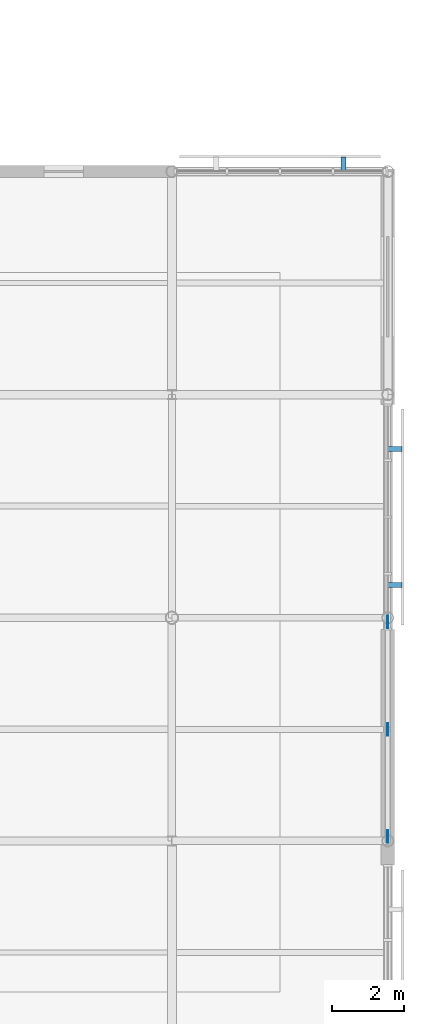
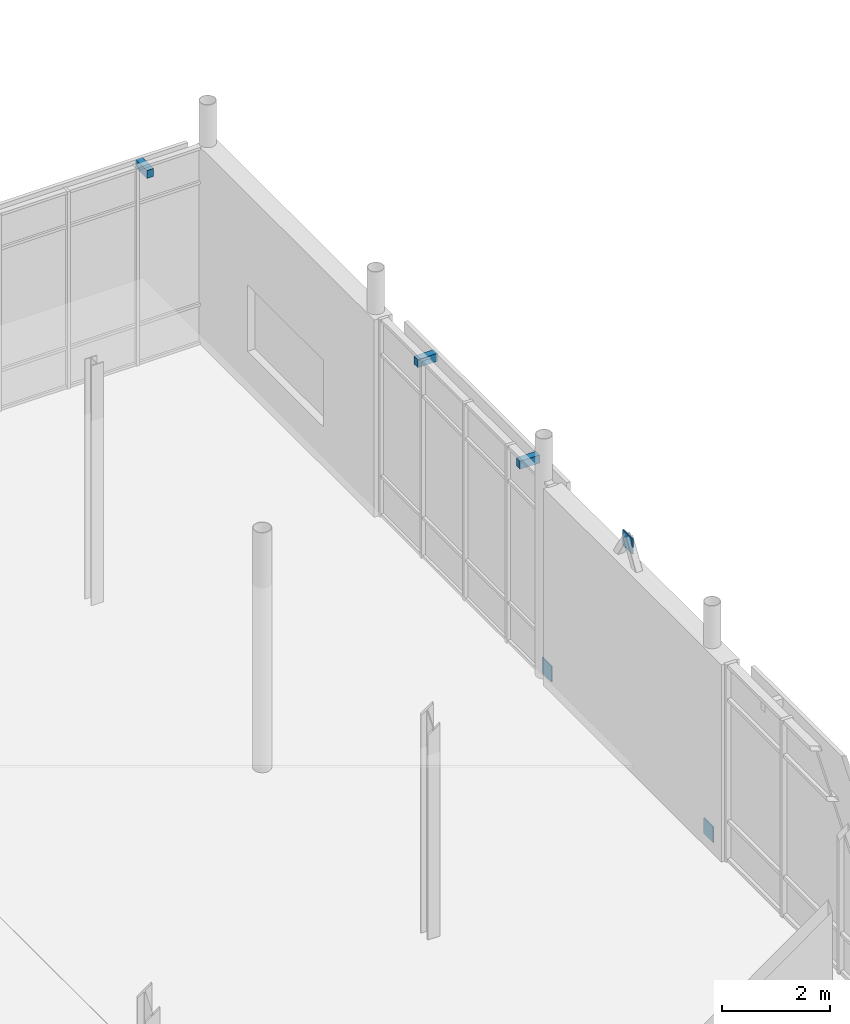
# One storey, part 89 of 105: 6 discrete accessories.
"""IFC4 building model written with IfcOpenShell, lengths in metres."""

from ifc_helpers import new_model, si_unit, direction, frame, origin, origin_2d, place, context, subcontext, project, spatial, rectangle, extrude, material, type_object, element, save


model = new_model("IFC4")

# Units and contexts
model_context = context("Model", 3, precision=1e-05, world=origin(), true_north=direction((0.0, 1.0)))
body_context = subcontext(model_context, "Body", "Model", "MODEL_VIEW")
ifc_project = project(units=[si_unit("LENGTHUNIT", "METRE"), si_unit("AREAUNIT", "SQUARE_METRE"), si_unit("VOLUMEUNIT", "CUBIC_METRE"), si_unit("PLANEANGLEUNIT", "RADIAN"), si_unit("MASSUNIT", "GRAM", prefix="KILO")], contexts=[model_context])

# Site, building, storey
site_placement = place(None, origin())
site = spatial("IfcSite", under=ifc_project, at=site_placement, CompositionType="ELEMENT")
building_placement = place(site_placement, origin())
building = spatial("IfcBuilding", under=site, at=building_placement, Name="Mirzam Square Science Centre", CompositionType="ELEMENT")
storey_placement = place(building_placement, frame((0.0, 0.0, 5.39990234375)))
storey = spatial("IfcBuildingStorey", under=building, at=storey_placement, Name="L01", CompositionType="ELEMENT", Elevation=5.39990234375)

# Discrete accessories
ifc_material = material(Name="Steel S355", Category="steel")
discrete_accessory_type_1 = type_object("IfcDiscreteAccessoryType", Name="BK-BRACE-GUSSET", PredefinedType="BRACKET", material=ifc_material)
for number, where, z_axis, x_axis, name in (
    (1, (162.0, 68.320068359375, -0.0048828125), (0.0, 0.0, 1.0), (0.0, 1.0, 0.0), "L01 brace gusset plate 5A"),
    (2, (162.0, 74.280029296875, -0.0048828125), (0.0, 0.0, 1.0), (0.0, 1.0, 0.0), "L01 brace gusset plate 5B"),
    (3, (162.0, 71.300048828125, 4.679931640625), (0.0, 0.0, 1.0), (0.0, 1.0, 0.0), "L01 brace apex gusset plate 5"),
):
    element("IfcDiscreteAccessory", number, at=place(storey_placement, frame(where, z_axis=z_axis, x_axis=x_axis)), inside=storey, type_object=discrete_accessory_type_1, Name=name, PredefinedType="BRACKET", context=body_context, shape_type="SweptSolid", body=[
        extrude(rectangle(XDim=0.35009765625, YDim=0.02490234375, at=origin_2d()), origin(), (0.0, 0.0, 1.0), 0.35009765625),
    ])
discrete_accessory_type_2 = type_object("IfcDiscreteAccessoryType", Name="BRK-BRISE-STEEL", PredefinedType="BRACKET", material=ifc_material)
for number, where, z_axis, x_axis, name in (
    (4, (162.18994140625, 75.31298828125, 4.10009765625), (0.0, 0.0, 1.0), (0.0, 1.0, 0.0), "L01 brise-soleil support bracket 76"),
    (5, (162.18994140625, 79.0869140625, 4.10009765625), (0.0, 0.0, 1.0), (0.0, 1.0, 0.0), "L01 brise-soleil support bracket 76"),
    (6, (160.76708984375, 86.989990234375, 4.10009765625), (0.0, 0.0, 1.0), (-1.0, 0.0, 0.0), "L01 brise-soleil support bracket 77"),
):
    element("IfcDiscreteAccessory", number, at=place(storey_placement, frame(where, z_axis=z_axis, x_axis=x_axis)), inside=storey, type_object=discrete_accessory_type_2, Name=name, PredefinedType="BRACKET", context=body_context, shape_type="SweptSolid", body=[
        extrude(rectangle(XDim=0.139892578125, YDim=0.419921875, at=origin_2d()), origin(), (0.0, 0.0, 1.0), 0.179931640625),
    ])

save(model, "model.ifc")
